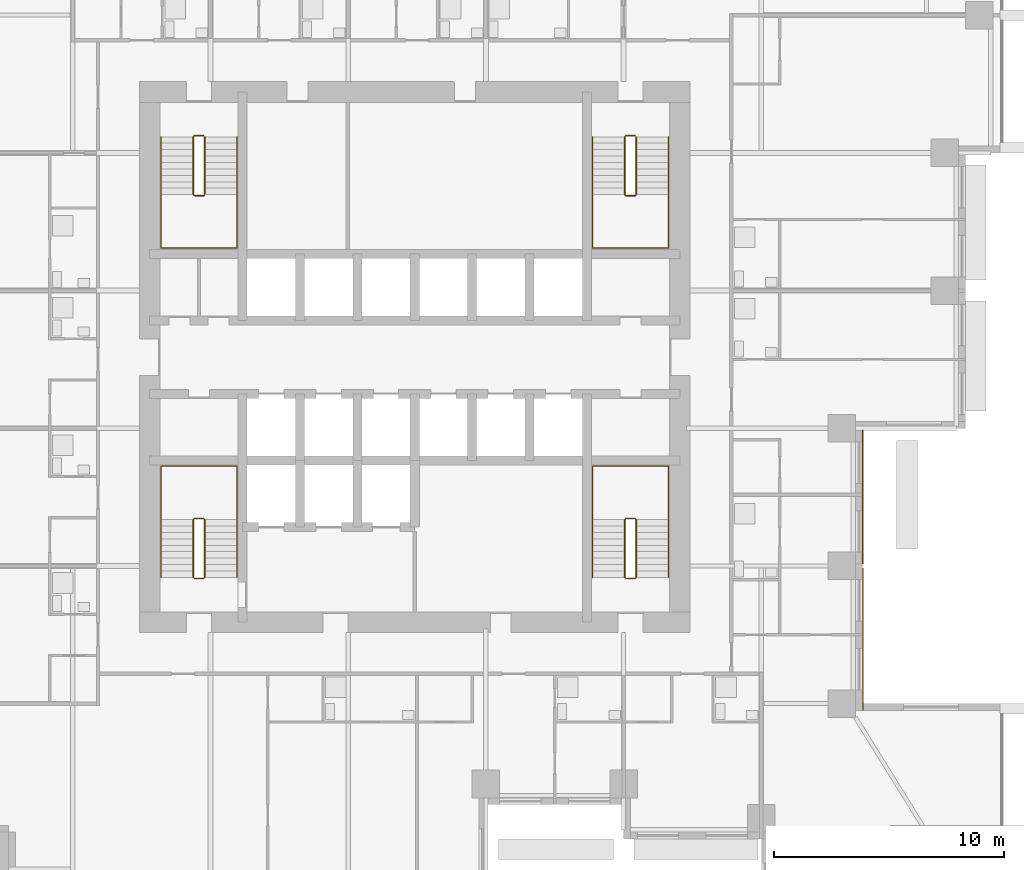
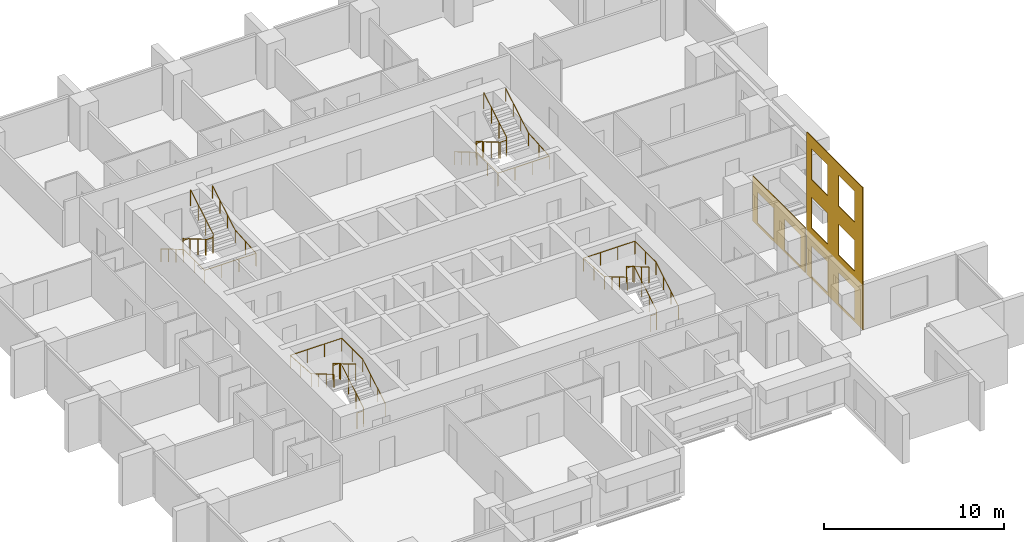
# One storey, part 9 of 10: 8 railings, 2 coverings.
"""IFC4 building model written with IfcOpenShell, lengths in metres."""

from ifc_helpers import new_model, si_unit, direction, frame, origin, origin_2d, place, context, subcontext, project, spatial, polyline, circle, outline, extrude, material, layer, layer_set, type_object, element, save


model = new_model("IFC4")

# Units and contexts
model_context = context("Model", 3, precision=1e-05, world=origin(), true_north=direction((0.0, 1.0)))
body_context = subcontext(model_context, "Body", "Model", "MODEL_VIEW")
ifc_project = project(units=[si_unit("LENGTHUNIT", "METRE"), si_unit("AREAUNIT", "SQUARE_METRE"), si_unit("VOLUMEUNIT", "CUBIC_METRE"), si_unit("PLANEANGLEUNIT", "RADIAN"), si_unit("MASSUNIT", "GRAM", prefix="KILO")], contexts=[model_context])

# Site, building, storey
site_placement = place(None, origin())
site = spatial("IfcSite", under=ifc_project, at=site_placement, CompositionType="ELEMENT")
building_placement = place(site_placement, origin())
building = spatial("IfcBuilding", under=site, at=building_placement, Name="Amberfall Residences", CompositionType="ELEMENT")
storey_placement = place(building_placement, frame((0.0, 0.0, 30.10009765625)))
storey = spatial("IfcBuildingStorey", under=building, at=storey_placement, Name="L07", CompositionType="ELEMENT", Elevation=30.10009765625)

# Coverings
ifc_material_1 = material(Name="Pale limestone cladding", Category="masonry")
ifc_layer = layer(ifc_material_1, 0.050048828125)
ifc_layer_set = layer_set([ifc_layer], Name="Limestone fascia 50")
covering_type = type_object("IfcCoveringType", Name="Limestone fascia 50", PredefinedType="CLADDING", material=ifc_layer_set)
covering_1_placement = place(storey_placement, frame((94.0, 30.10009765625, 9.64990234375), z_axis=(-1.0, 0.0, 0.0), x_axis=(0.0, 1.0, 0.0)))
element("IfcCovering", 1, at=covering_1_placement, inside=storey, type_object=covering_type, Name="Pale limestone cladding L07-L09 E", PredefinedType="CLADDING", context=body_context, shape_type="SweptSolid", body=[
    extrude(outline(polyline([(0.0, 0.0), (6.2099609375, 0.0), (6.2099609375, 9.64990234375), (0.0, 9.64990234375), (0.0, 0.0)]), holes=[polyline([(0.89990234375, 7.39990234375), (2.699951171875, 7.39990234375), (2.699951171875, 9.5), (0.89990234375, 9.5), (0.89990234375, 7.39990234375)]), polyline([(3.89990234375, 7.39990234375), (5.699951171875, 7.39990234375), (5.699951171875, 9.5), (3.89990234375, 9.5), (3.89990234375, 7.39990234375)]), polyline([(0.89990234375, 4.10009765625), (2.699951171875, 4.10009765625), (2.699951171875, 6.199951171875), (0.89990234375, 6.199951171875), (0.89990234375, 4.10009765625)]), polyline([(3.89990234375, 4.10009765625), (5.699951171875, 4.10009765625), (5.699951171875, 6.199951171875), (3.89990234375, 6.199951171875), (3.89990234375, 4.10009765625)]), polyline([(0.89990234375, 0.800048828125), (2.699951171875, 0.800048828125), (2.699951171875, 2.89990234375), (0.89990234375, 2.89990234375), (0.89990234375, 0.800048828125)]), polyline([(3.89990234375, 0.800048828125), (5.699951171875, 0.800048828125), (5.699951171875, 2.89990234375), (3.89990234375, 2.89990234375), (3.89990234375, 0.800048828125)])]), origin(), (0.0, 0.0, -1.0), 0.050048828125),
])
covering_2_placement = place(storey_placement, frame((94.0, 36.489990234375, 3.0498046875), z_axis=(-1.0, 0.0, 0.0), x_axis=(0.0, 1.0, 0.0)))
element("IfcCovering", 2, at=covering_2_placement, inside=storey, type_object=covering_type, Name="Pale limestone cladding L07 E", PredefinedType="CLADDING", context=body_context, shape_type="SweptSolid", body=[
    extrude(outline(polyline([(0.0, 0.0), (5.820068359375, 0.0), (5.820068359375, 3.0498046875), (0.0, 3.0498046875), (0.0, 0.0)]), holes=[polyline([(0.510009765625, 0.7998046875), (2.31005859375, 0.7998046875), (2.31005859375, 2.89990234375), (0.510009765625, 2.89990234375), (0.510009765625, 0.7998046875)]), polyline([(3.510009765625, 0.7998046875), (5.31005859375, 0.7998046875), (5.31005859375, 2.89990234375), (3.510009765625, 2.89990234375), (3.510009765625, 0.7998046875)])]), origin(), (0.0, 0.0, -1.0), 0.050048828125),
])

# Railings
ifc_material_2 = material(Name="Stainless steel 316", Category="steel")
railing_type_1 = type_object("IfcRailingType", Name="Stair guard 1100", PredefinedType="GUARDRAIL", material=ifc_material_2)
railing_1_placement = place(storey_placement, frame((64.89990234375, 35.85009765625, 0.0)))
element("IfcRailing", 3, at=railing_1_placement, inside=storey, type_object=railing_type_1, Name="L07 stair 1 guard", PredefinedType="GUARDRAIL", context=body_context, shape_type="SweptSolid", body=[
    extrude(circle(Radius=0.02392578125, at=origin_2d()), frame((0.0, 0.0, 1.076171875), z_axis=(1.0, 0.0, 0.0), x_axis=(0.0, 1.0, 0.0)), (0.0, 0.0, 1.0), 0.400146484375),
    extrude(circle(Radius=0.02392578125, at=origin_2d()), frame((0.400146484375, 0.0, 1.076171875), z_axis=(0.279159454702, 0.277797701265, 0.919183570361), x_axis=(-0.705375805398, 0.708833529934, 0.0)), (0.0, 0.0, 1.0), 0.17919921875),
    extrude(circle(Radius=0.02392578125, at=origin_2d()), frame((0.4501953125, 0.0498046875, 1.24072265625), z_axis=(0.0, 0.86152411907, 0.507716645641), x_axis=(-1.0, 0.0, 0.0)), (0.0, 0.0, 1.0), 2.925048828125),
    extrude(circle(Radius=0.02392578125, at=origin_2d()), frame((0.4501953125, 2.56982421875, 2.72607421875), z_axis=(-0.707106781187, 0.707106781187, 0.0), x_axis=(-0.707106781187, -0.707106781187, 0.0)), (0.0, 0.0, 1.0), 0.07080078125),
    extrude(circle(Radius=0.02392578125, at=origin_2d()), frame((0.400146484375, 2.619873046875, 2.72607421875), z_axis=(-1.0, 0.0, 0.0), x_axis=(0.0, -1.0, 0.0)), (0.0, 0.0, 1.0), 0.400146484375),
    extrude(circle(Radius=0.02392578125, at=origin_2d()), frame((0.0, 2.619873046875, 2.72607421875), z_axis=(-0.277450376394, -0.278810427259, 0.919394384522), x_axis=(0.708833529934, -0.705375805398, 0.0)), (0.0, 0.0, 1.0), 0.179443359375),
    extrude(circle(Radius=0.02392578125, at=origin_2d()), frame((-0.0498046875, 2.56982421875, 2.89111328125), z_axis=(0.0, -0.861560626758, 0.507654692109), x_axis=(1.0, 0.0, 0.0)), (0.0, 0.0, 1.0), 2.925048828125),
    extrude(circle(Radius=0.02099609375, at=origin_2d()), origin(), (0.0, 0.0, 1.0), 1.052001953125),
    extrude(circle(Radius=0.02099609375, at=origin_2d()), frame((0.400146484375, 0.0, 0.0)), (0.0, 0.0, 1.0), 1.052001953125),
    extrude(circle(Radius=0.02099609375, at=origin_2d()), frame((0.4501953125, 0.0498046875, 0.164794921875)), (0.0, 0.0, 1.0), 1.052001953125),
    extrude(circle(Radius=0.02099609375, at=origin_2d()), frame((0.4501953125, 0.889892578125, 0.659912109375)), (0.0, 0.0, 1.0), 1.052001953125),
    extrude(circle(Radius=0.02099609375, at=origin_2d()), frame((0.4501953125, 1.729736328125, 1.15478515625)), (0.0, 0.0, 1.0), 1.052001953125),
    extrude(circle(Radius=0.02099609375, at=origin_2d()), frame((0.4501953125, 2.56982421875, 1.64990234375)), (0.0, 0.0, 1.0), 1.052001953125),
    extrude(circle(Radius=0.02099609375, at=origin_2d()), frame((0.400146484375, 2.619873046875, 1.64990234375)), (0.0, 0.0, 1.0), 1.052001953125),
    extrude(circle(Radius=0.02099609375, at=origin_2d()), frame((0.0, 2.619873046875, 1.64990234375)), (0.0, 0.0, 1.0), 1.052001953125),
    extrude(circle(Radius=0.02099609375, at=origin_2d()), frame((-0.0498046875, 2.56982421875, 1.81494140625)), (0.0, 0.0, 1.0), 1.052001953125),
    extrude(circle(Radius=0.02099609375, at=origin_2d()), frame((-0.0498046875, 1.729736328125, 2.309814453125)), (0.0, 0.0, 1.0), 1.052001953125),
    extrude(circle(Radius=0.02099609375, at=origin_2d()), frame((-0.0498046875, 0.889892578125, 2.804931640625)), (0.0, 0.0, 1.0), 1.052001953125),
    extrude(circle(Radius=0.02099609375, at=origin_2d()), frame((-0.0498046875, 0.0498046875, 3.2998046875)), (0.0, 0.0, 1.0), 1.052001953125),
])
railing_2_placement = place(storey_placement, frame((83.699951171875, 35.85009765625, 0.0)))
element("IfcRailing", 4, at=railing_2_placement, inside=storey, type_object=railing_type_1, Name="L07 stair 2 guard", PredefinedType="GUARDRAIL", context=body_context, shape_type="SweptSolid", body=[
    extrude(circle(Radius=0.02392578125, at=origin_2d()), frame((0.0, 0.0, 1.076171875), z_axis=(1.0, 0.0, 0.0), x_axis=(0.0, 1.0, 0.0)), (0.0, 0.0, 1.0), 0.400146484375),
    extrude(circle(Radius=0.02392578125, at=origin_2d()), frame((0.400146484375, 0.0, 1.076171875), z_axis=(0.277903107438, 0.277903107438, 0.919532340787), x_axis=(-0.707106781187, 0.707106781187, 0.0)), (0.0, 0.0, 1.0), 0.17919921875),
    extrude(circle(Radius=0.02392578125, at=origin_2d()), frame((0.449951171875, 0.0498046875, 1.24072265625), z_axis=(0.0, 0.86152411907, 0.507716645641), x_axis=(-1.0, 0.0, 0.0)), (0.0, 0.0, 1.0), 2.925048828125),
    extrude(circle(Radius=0.02392578125, at=origin_2d()), frame((0.449951171875, 2.56982421875, 2.72607421875), z_axis=(-0.705375805398, 0.708833529934, 0.0), x_axis=(-0.708833529934, -0.705375805398, 0.0)), (0.0, 0.0, 1.0), 0.070556640625),
    extrude(circle(Radius=0.02392578125, at=origin_2d()), frame((0.400146484375, 2.619873046875, 2.72607421875), z_axis=(-1.0, 0.0, 0.0), x_axis=(0.0, -1.0, 0.0)), (0.0, 0.0, 1.0), 0.400146484375),
    extrude(circle(Radius=0.02392578125, at=origin_2d()), frame((0.0, 2.619873046875, 2.72607421875), z_axis=(-0.278705021027, -0.278705021027, 0.919046801044), x_axis=(0.707106781187, -0.707106781187, 0.0)), (0.0, 0.0, 1.0), 0.1796875),
    extrude(circle(Radius=0.02392578125, at=origin_2d()), frame((-0.050048828125, 2.56982421875, 2.89111328125), z_axis=(0.0, -0.861560626758, 0.507654692109), x_axis=(1.0, 0.0, 0.0)), (0.0, 0.0, 1.0), 2.925048828125),
    extrude(circle(Radius=0.02099609375, at=origin_2d()), origin(), (0.0, 0.0, 1.0), 1.052001953125),
    extrude(circle(Radius=0.02099609375, at=origin_2d()), frame((0.400146484375, 0.0, 0.0)), (0.0, 0.0, 1.0), 1.052001953125),
    extrude(circle(Radius=0.02099609375, at=origin_2d()), frame((0.449951171875, 0.0498046875, 0.164794921875)), (0.0, 0.0, 1.0), 1.052001953125),
    extrude(circle(Radius=0.02099609375, at=origin_2d()), frame((0.449951171875, 0.889892578125, 0.659912109375)), (0.0, 0.0, 1.0), 1.052001953125),
    extrude(circle(Radius=0.02099609375, at=origin_2d()), frame((0.449951171875, 1.729736328125, 1.15478515625)), (0.0, 0.0, 1.0), 1.052001953125),
    extrude(circle(Radius=0.02099609375, at=origin_2d()), frame((0.449951171875, 2.56982421875, 1.64990234375)), (0.0, 0.0, 1.0), 1.052001953125),
    extrude(circle(Radius=0.02099609375, at=origin_2d()), frame((0.400146484375, 2.619873046875, 1.64990234375)), (0.0, 0.0, 1.0), 1.052001953125),
    extrude(circle(Radius=0.02099609375, at=origin_2d()), frame((0.0, 2.619873046875, 1.64990234375)), (0.0, 0.0, 1.0), 1.052001953125),
    extrude(circle(Radius=0.02099609375, at=origin_2d()), frame((-0.050048828125, 2.56982421875, 1.81494140625)), (0.0, 0.0, 1.0), 1.052001953125),
    extrude(circle(Radius=0.02099609375, at=origin_2d()), frame((-0.050048828125, 1.729736328125, 2.309814453125)), (0.0, 0.0, 1.0), 1.052001953125),
    extrude(circle(Radius=0.02099609375, at=origin_2d()), frame((-0.050048828125, 0.889892578125, 2.804931640625)), (0.0, 0.0, 1.0), 1.052001953125),
    extrude(circle(Radius=0.02099609375, at=origin_2d()), frame((-0.050048828125, 0.0498046875, 3.2998046875)), (0.0, 0.0, 1.0), 1.052001953125),
])
railing_3_placement = place(storey_placement, frame((84.10009765625, 55.14990234375, 0.0)))
element("IfcRailing", 5, at=railing_3_placement, inside=storey, type_object=railing_type_1, Name="L07 stair 3 guard", PredefinedType="GUARDRAIL", context=body_context, shape_type="SweptSolid", body=[
    extrude(circle(Radius=0.02392578125, at=origin_2d()), frame((0.0, 0.0, 1.076171875), z_axis=(-1.0, 0.0, 0.0), x_axis=(0.0, -1.0, 0.0)), (0.0, 0.0, 1.0), 0.400146484375),
    extrude(circle(Radius=0.02392578125, at=origin_2d()), frame((-0.400146484375, 0.0, 1.076171875), z_axis=(-0.279159454702, -0.277797701265, 0.919183570361), x_axis=(0.705375805398, -0.708833529934, 0.0)), (0.0, 0.0, 1.0), 0.17919921875),
    extrude(circle(Radius=0.02392578125, at=origin_2d()), frame((-0.4501953125, -0.0498046875, 1.24072265625), z_axis=(0.0, -0.86152411907, 0.507716645641), x_axis=(1.0, 0.0, 0.0)), (0.0, 0.0, 1.0), 2.925048828125),
    extrude(circle(Radius=0.02392578125, at=origin_2d()), frame((-0.4501953125, -2.56982421875, 2.72607421875), z_axis=(0.707106781187, -0.707106781187, 0.0), x_axis=(0.707106781187, 0.707106781187, 0.0)), (0.0, 0.0, 1.0), 0.07080078125),
    extrude(circle(Radius=0.02392578125, at=origin_2d()), frame((-0.400146484375, -2.619873046875, 2.72607421875), z_axis=(1.0, 0.0, 0.0), x_axis=(0.0, 1.0, 0.0)), (0.0, 0.0, 1.0), 0.400146484375),
    extrude(circle(Radius=0.02392578125, at=origin_2d()), frame((0.0, -2.619873046875, 2.72607421875), z_axis=(0.277450376394, 0.278810427259, 0.919394384522), x_axis=(-0.708833529934, 0.705375805398, 0.0)), (0.0, 0.0, 1.0), 0.179443359375),
    extrude(circle(Radius=0.02392578125, at=origin_2d()), frame((0.0498046875, -2.56982421875, 2.89111328125), z_axis=(0.0, 0.861560626758, 0.507654692109), x_axis=(-1.0, 0.0, 0.0)), (0.0, 0.0, 1.0), 2.925048828125),
    extrude(circle(Radius=0.02099609375, at=origin_2d()), origin(), (0.0, 0.0, 1.0), 1.052001953125),
    extrude(circle(Radius=0.02099609375, at=origin_2d()), frame((-0.400146484375, 0.0, 0.0)), (0.0, 0.0, 1.0), 1.052001953125),
    extrude(circle(Radius=0.02099609375, at=origin_2d()), frame((-0.4501953125, -0.0498046875, 0.164794921875)), (0.0, 0.0, 1.0), 1.052001953125),
    extrude(circle(Radius=0.02099609375, at=origin_2d()), frame((-0.4501953125, -0.889892578125, 0.659912109375)), (0.0, 0.0, 1.0), 1.052001953125),
    extrude(circle(Radius=0.02099609375, at=origin_2d()), frame((-0.4501953125, -1.729736328125, 1.15478515625)), (0.0, 0.0, 1.0), 1.052001953125),
    extrude(circle(Radius=0.02099609375, at=origin_2d()), frame((-0.4501953125, -2.56982421875, 1.64990234375)), (0.0, 0.0, 1.0), 1.052001953125),
    extrude(circle(Radius=0.02099609375, at=origin_2d()), frame((-0.400146484375, -2.619873046875, 1.64990234375)), (0.0, 0.0, 1.0), 1.052001953125),
    extrude(circle(Radius=0.02099609375, at=origin_2d()), frame((0.0, -2.619873046875, 1.64990234375)), (0.0, 0.0, 1.0), 1.052001953125),
    extrude(circle(Radius=0.02099609375, at=origin_2d()), frame((0.0498046875, -2.56982421875, 1.81494140625)), (0.0, 0.0, 1.0), 1.052001953125),
    extrude(circle(Radius=0.02099609375, at=origin_2d()), frame((0.0498046875, -1.729736328125, 2.309814453125)), (0.0, 0.0, 1.0), 1.052001953125),
    extrude(circle(Radius=0.02099609375, at=origin_2d()), frame((0.0498046875, -0.889892578125, 2.804931640625)), (0.0, 0.0, 1.0), 1.052001953125),
    extrude(circle(Radius=0.02099609375, at=origin_2d()), frame((0.0498046875, -0.0498046875, 3.2998046875)), (0.0, 0.0, 1.0), 1.052001953125),
])
railing_4_placement = place(storey_placement, frame((65.300048828125, 55.14990234375, 0.0)))
element("IfcRailing", 6, at=railing_4_placement, inside=storey, type_object=railing_type_1, Name="L07 stair 4 guard", PredefinedType="GUARDRAIL", context=body_context, shape_type="SweptSolid", body=[
    extrude(circle(Radius=0.02392578125, at=origin_2d()), frame((0.0, 0.0, 1.076171875), z_axis=(-1.0, 0.0, 0.0), x_axis=(0.0, -1.0, 0.0)), (0.0, 0.0, 1.0), 0.400146484375),
    extrude(circle(Radius=0.02392578125, at=origin_2d()), frame((-0.400146484375, 0.0, 1.076171875), z_axis=(-0.277903107438, -0.277903107438, 0.919532340787), x_axis=(0.707106781187, -0.707106781187, 0.0)), (0.0, 0.0, 1.0), 0.17919921875),
    extrude(circle(Radius=0.02392578125, at=origin_2d()), frame((-0.449951171875, -0.0498046875, 1.24072265625), z_axis=(0.0, -0.86152411907, 0.507716645641), x_axis=(1.0, 0.0, 0.0)), (0.0, 0.0, 1.0), 2.925048828125),
    extrude(circle(Radius=0.02392578125, at=origin_2d()), frame((-0.449951171875, -2.56982421875, 2.72607421875), z_axis=(0.705375805398, -0.708833529934, 0.0), x_axis=(0.708833529934, 0.705375805398, 0.0)), (0.0, 0.0, 1.0), 0.070556640625),
    extrude(circle(Radius=0.02392578125, at=origin_2d()), frame((-0.400146484375, -2.619873046875, 2.72607421875), z_axis=(1.0, 0.0, 0.0), x_axis=(0.0, 1.0, 0.0)), (0.0, 0.0, 1.0), 0.400146484375),
    extrude(circle(Radius=0.02392578125, at=origin_2d()), frame((0.0, -2.619873046875, 2.72607421875), z_axis=(0.278705021027, 0.278705021027, 0.919046801044), x_axis=(-0.707106781187, 0.707106781187, 0.0)), (0.0, 0.0, 1.0), 0.1796875),
    extrude(circle(Radius=0.02392578125, at=origin_2d()), frame((0.050048828125, -2.56982421875, 2.89111328125), z_axis=(0.0, 0.861560626758, 0.507654692109), x_axis=(-1.0, 0.0, 0.0)), (0.0, 0.0, 1.0), 2.925048828125),
    extrude(circle(Radius=0.02099609375, at=origin_2d()), origin(), (0.0, 0.0, 1.0), 1.052001953125),
    extrude(circle(Radius=0.02099609375, at=origin_2d()), frame((-0.400146484375, 0.0, 0.0)), (0.0, 0.0, 1.0), 1.052001953125),
    extrude(circle(Radius=0.02099609375, at=origin_2d()), frame((-0.449951171875, -0.0498046875, 0.164794921875)), (0.0, 0.0, 1.0), 1.052001953125),
    extrude(circle(Radius=0.02099609375, at=origin_2d()), frame((-0.449951171875, -0.889892578125, 0.659912109375)), (0.0, 0.0, 1.0), 1.052001953125),
    extrude(circle(Radius=0.02099609375, at=origin_2d()), frame((-0.449951171875, -1.729736328125, 1.15478515625)), (0.0, 0.0, 1.0), 1.052001953125),
    extrude(circle(Radius=0.02099609375, at=origin_2d()), frame((-0.449951171875, -2.56982421875, 1.64990234375)), (0.0, 0.0, 1.0), 1.052001953125),
    extrude(circle(Radius=0.02099609375, at=origin_2d()), frame((-0.400146484375, -2.619873046875, 1.64990234375)), (0.0, 0.0, 1.0), 1.052001953125),
    extrude(circle(Radius=0.02099609375, at=origin_2d()), frame((0.0, -2.619873046875, 1.64990234375)), (0.0, 0.0, 1.0), 1.052001953125),
    extrude(circle(Radius=0.02099609375, at=origin_2d()), frame((0.050048828125, -2.56982421875, 1.81494140625)), (0.0, 0.0, 1.0), 1.052001953125),
    extrude(circle(Radius=0.02099609375, at=origin_2d()), frame((0.050048828125, -1.729736328125, 2.309814453125)), (0.0, 0.0, 1.0), 1.052001953125),
    extrude(circle(Radius=0.02099609375, at=origin_2d()), frame((0.050048828125, -0.889892578125, 2.804931640625)), (0.0, 0.0, 1.0), 1.052001953125),
    extrude(circle(Radius=0.02099609375, at=origin_2d()), frame((0.050048828125, -0.0498046875, 3.2998046875)), (0.0, 0.0, 1.0), 1.052001953125),
])
railing_type_2 = type_object("IfcRailingType", Name="Stair handrail 900", PredefinedType="HANDRAIL", material=ifc_material_2)
railing_5_placement = place(storey_placement, frame((66.75, 35.89990234375, 0.164794921875)))
element("IfcRailing", 7, at=railing_5_placement, inside=storey, type_object=railing_type_2, Name="L07 stair 1 handrail", PredefinedType="HANDRAIL", context=body_context, shape_type="SweptSolid", body=[
    extrude(circle(Radius=0.02392578125, at=origin_2d()), frame((0.0, 0.0, 0.8759765625), z_axis=(0.0, 0.86152411907, 0.507716645641), x_axis=(-1.0, 0.0, 0.0)), (0.0, 0.0, 1.0), 2.925048828125),
    extrude(circle(Radius=0.02392578125, at=origin_2d()), frame((0.0, 2.52001953125, 2.36083984375), z_axis=(0.0, 1.0, 0.0), x_axis=(-1.0, 0.0, 0.0)), (0.0, 0.0, 1.0), 2.330078125),
    extrude(circle(Radius=0.02392578125, at=origin_2d()), frame((0.0, 4.85009765625, 2.36083984375), z_axis=(-1.0, 0.0, 0.0), x_axis=(0.0, -1.0, 0.0)), (0.0, 0.0, 1.0), 3.300048828125),
    extrude(circle(Radius=0.02392578125, at=origin_2d()), frame((-3.300048828125, 4.85009765625, 2.36083984375), z_axis=(0.0, -0.997500965899, 0.07065283455), x_axis=(1.0, 0.0, 0.0)), (0.0, 0.0, 1.0), 2.3359375),
    extrude(circle(Radius=0.02392578125, at=origin_2d()), frame((-3.300048828125, 2.52001953125, 2.52587890625), z_axis=(0.0, -0.861560626758, 0.507654692109), x_axis=(1.0, 0.0, 0.0)), (0.0, 0.0, 1.0), 2.925048828125),
    extrude(circle(Radius=0.02099609375, at=origin_2d()), origin(), (0.0, 0.0, 1.0), 0.851806640625),
    extrude(circle(Radius=0.02099609375, at=origin_2d()), frame((0.0, 0.840087890625, 0.4951171875)), (0.0, 0.0, 1.0), 0.851806640625),
    extrude(circle(Radius=0.02099609375, at=origin_2d()), frame((0.0, 1.679931640625, 0.989990234375)), (0.0, 0.0, 1.0), 0.851806640625),
    extrude(circle(Radius=0.02099609375, at=origin_2d()), frame((0.0, 2.52001953125, 1.485107421875)), (0.0, 0.0, 1.0), 0.851806640625),
    extrude(circle(Radius=0.02099609375, at=origin_2d()), frame((0.0, 3.68505859375, 1.485107421875)), (0.0, 0.0, 1.0), 0.851806640625),
    extrude(circle(Radius=0.02099609375, at=origin_2d()), frame((0.0, 4.85009765625, 1.485107421875)), (0.0, 0.0, 1.0), 0.851806640625),
    extrude(circle(Radius=0.02099609375, at=origin_2d()), frame((-1.10009765625, 4.85009765625, 1.485107421875)), (0.0, 0.0, 1.0), 0.851806640625),
    extrude(circle(Radius=0.02099609375, at=origin_2d()), frame((-2.199951171875, 4.85009765625, 1.485107421875)), (0.0, 0.0, 1.0), 0.851806640625),
    extrude(circle(Radius=0.02099609375, at=origin_2d()), frame((-3.300048828125, 4.85009765625, 1.485107421875)), (0.0, 0.0, 1.0), 0.851806640625),
    extrude(circle(Radius=0.02099609375, at=origin_2d()), frame((-3.300048828125, 3.68505859375, 1.567626953125)), (0.0, 0.0, 1.0), 0.851806640625),
    extrude(circle(Radius=0.02099609375, at=origin_2d()), frame((-3.300048828125, 2.52001953125, 1.650146484375)), (0.0, 0.0, 1.0), 0.851806640625),
    extrude(circle(Radius=0.02099609375, at=origin_2d()), frame((-3.300048828125, 1.679931640625, 2.14501953125)), (0.0, 0.0, 1.0), 0.851806640625),
    extrude(circle(Radius=0.02099609375, at=origin_2d()), frame((-3.300048828125, 0.840087890625, 2.64013671875)), (0.0, 0.0, 1.0), 0.851806640625),
    extrude(circle(Radius=0.02099609375, at=origin_2d()), frame((-3.300048828125, 0.0, 3.135009765625)), (0.0, 0.0, 1.0), 0.851806640625),
])
railing_6_placement = place(storey_placement, frame((85.550048828125, 35.89990234375, 0.164794921875)))
element("IfcRailing", 8, at=railing_6_placement, inside=storey, type_object=railing_type_2, Name="L07 stair 2 handrail", PredefinedType="HANDRAIL", context=body_context, shape_type="SweptSolid", body=[
    extrude(circle(Radius=0.02392578125, at=origin_2d()), frame((0.0, 0.0, 0.8759765625), z_axis=(0.0, 0.86152411907, 0.507716645641), x_axis=(-1.0, 0.0, 0.0)), (0.0, 0.0, 1.0), 2.925048828125),
    extrude(circle(Radius=0.02392578125, at=origin_2d()), frame((0.0, 2.52001953125, 2.36083984375), z_axis=(0.0, 1.0, 0.0), x_axis=(-1.0, 0.0, 0.0)), (0.0, 0.0, 1.0), 2.330078125),
    extrude(circle(Radius=0.02392578125, at=origin_2d()), frame((0.0, 4.85009765625, 2.36083984375), z_axis=(-1.0, 0.0, 0.0), x_axis=(0.0, -1.0, 0.0)), (0.0, 0.0, 1.0), 3.300048828125),
    extrude(circle(Radius=0.02392578125, at=origin_2d()), frame((-3.300048828125, 4.85009765625, 2.36083984375), z_axis=(0.0, -0.997500965899, 0.07065283455), x_axis=(1.0, 0.0, 0.0)), (0.0, 0.0, 1.0), 2.3359375),
    extrude(circle(Radius=0.02392578125, at=origin_2d()), frame((-3.300048828125, 2.52001953125, 2.52587890625), z_axis=(0.0, -0.861560626758, 0.507654692109), x_axis=(1.0, 0.0, 0.0)), (0.0, 0.0, 1.0), 2.925048828125),
    extrude(circle(Radius=0.02099609375, at=origin_2d()), origin(), (0.0, 0.0, 1.0), 0.851806640625),
    extrude(circle(Radius=0.02099609375, at=origin_2d()), frame((0.0, 0.840087890625, 0.4951171875)), (0.0, 0.0, 1.0), 0.851806640625),
    extrude(circle(Radius=0.02099609375, at=origin_2d()), frame((0.0, 1.679931640625, 0.989990234375)), (0.0, 0.0, 1.0), 0.851806640625),
    extrude(circle(Radius=0.02099609375, at=origin_2d()), frame((0.0, 2.52001953125, 1.485107421875)), (0.0, 0.0, 1.0), 0.851806640625),
    extrude(circle(Radius=0.02099609375, at=origin_2d()), frame((0.0, 3.68505859375, 1.485107421875)), (0.0, 0.0, 1.0), 0.851806640625),
    extrude(circle(Radius=0.02099609375, at=origin_2d()), frame((0.0, 4.85009765625, 1.485107421875)), (0.0, 0.0, 1.0), 0.851806640625),
    extrude(circle(Radius=0.02099609375, at=origin_2d()), frame((-1.10009765625, 4.85009765625, 1.485107421875)), (0.0, 0.0, 1.0), 0.851806640625),
    extrude(circle(Radius=0.02099609375, at=origin_2d()), frame((-2.199951171875, 4.85009765625, 1.485107421875)), (0.0, 0.0, 1.0), 0.851806640625),
    extrude(circle(Radius=0.02099609375, at=origin_2d()), frame((-3.300048828125, 4.85009765625, 1.485107421875)), (0.0, 0.0, 1.0), 0.851806640625),
    extrude(circle(Radius=0.02099609375, at=origin_2d()), frame((-3.300048828125, 3.68505859375, 1.567626953125)), (0.0, 0.0, 1.0), 0.851806640625),
    extrude(circle(Radius=0.02099609375, at=origin_2d()), frame((-3.300048828125, 2.52001953125, 1.650146484375)), (0.0, 0.0, 1.0), 0.851806640625),
    extrude(circle(Radius=0.02099609375, at=origin_2d()), frame((-3.300048828125, 1.679931640625, 2.14501953125)), (0.0, 0.0, 1.0), 0.851806640625),
    extrude(circle(Radius=0.02099609375, at=origin_2d()), frame((-3.300048828125, 0.840087890625, 2.64013671875)), (0.0, 0.0, 1.0), 0.851806640625),
    extrude(circle(Radius=0.02099609375, at=origin_2d()), frame((-3.300048828125, 0.0, 3.135009765625)), (0.0, 0.0, 1.0), 0.851806640625),
])
railing_7_placement = place(storey_placement, frame((82.25, 55.10009765625, 0.164794921875)))
element("IfcRailing", 9, at=railing_7_placement, inside=storey, type_object=railing_type_2, Name="L07 stair 3 handrail", PredefinedType="HANDRAIL", context=body_context, shape_type="SweptSolid", body=[
    extrude(circle(Radius=0.02392578125, at=origin_2d()), frame((0.0, 0.0, 0.8759765625), z_axis=(0.0, -0.86152411907, 0.507716645641), x_axis=(1.0, 0.0, 0.0)), (0.0, 0.0, 1.0), 2.925048828125),
    extrude(circle(Radius=0.02392578125, at=origin_2d()), frame((0.0, -2.52001953125, 2.36083984375), z_axis=(0.0, -1.0, 0.0), x_axis=(1.0, 0.0, 0.0)), (0.0, 0.0, 1.0), 2.330078125),
    extrude(circle(Radius=0.02392578125, at=origin_2d()), frame((0.0, -4.85009765625, 2.36083984375), z_axis=(1.0, 0.0, 0.0), x_axis=(0.0, 1.0, 0.0)), (0.0, 0.0, 1.0), 3.300048828125),
    extrude(circle(Radius=0.02392578125, at=origin_2d()), frame((3.300048828125, -4.85009765625, 2.36083984375), z_axis=(0.0, 0.997500965899, 0.07065283455), x_axis=(-1.0, 0.0, 0.0)), (0.0, 0.0, 1.0), 2.3359375),
    extrude(circle(Radius=0.02392578125, at=origin_2d()), frame((3.300048828125, -2.52001953125, 2.52587890625), z_axis=(0.0, 0.861560626758, 0.507654692109), x_axis=(-1.0, 0.0, 0.0)), (0.0, 0.0, 1.0), 2.925048828125),
    extrude(circle(Radius=0.02099609375, at=origin_2d()), origin(), (0.0, 0.0, 1.0), 0.851806640625),
    extrude(circle(Radius=0.02099609375, at=origin_2d()), frame((0.0, -0.840087890625, 0.4951171875)), (0.0, 0.0, 1.0), 0.851806640625),
    extrude(circle(Radius=0.02099609375, at=origin_2d()), frame((0.0, -1.679931640625, 0.989990234375)), (0.0, 0.0, 1.0), 0.851806640625),
    extrude(circle(Radius=0.02099609375, at=origin_2d()), frame((0.0, -2.52001953125, 1.485107421875)), (0.0, 0.0, 1.0), 0.851806640625),
    extrude(circle(Radius=0.02099609375, at=origin_2d()), frame((0.0, -3.68505859375, 1.485107421875)), (0.0, 0.0, 1.0), 0.851806640625),
    extrude(circle(Radius=0.02099609375, at=origin_2d()), frame((0.0, -4.85009765625, 1.485107421875)), (0.0, 0.0, 1.0), 0.851806640625),
    extrude(circle(Radius=0.02099609375, at=origin_2d()), frame((1.10009765625, -4.85009765625, 1.485107421875)), (0.0, 0.0, 1.0), 0.851806640625),
    extrude(circle(Radius=0.02099609375, at=origin_2d()), frame((2.199951171875, -4.85009765625, 1.485107421875)), (0.0, 0.0, 1.0), 0.851806640625),
    extrude(circle(Radius=0.02099609375, at=origin_2d()), frame((3.300048828125, -4.85009765625, 1.485107421875)), (0.0, 0.0, 1.0), 0.851806640625),
    extrude(circle(Radius=0.02099609375, at=origin_2d()), frame((3.300048828125, -3.68505859375, 1.567626953125)), (0.0, 0.0, 1.0), 0.851806640625),
    extrude(circle(Radius=0.02099609375, at=origin_2d()), frame((3.300048828125, -2.52001953125, 1.650146484375)), (0.0, 0.0, 1.0), 0.851806640625),
    extrude(circle(Radius=0.02099609375, at=origin_2d()), frame((3.300048828125, -1.679931640625, 2.14501953125)), (0.0, 0.0, 1.0), 0.851806640625),
    extrude(circle(Radius=0.02099609375, at=origin_2d()), frame((3.300048828125, -0.840087890625, 2.64013671875)), (0.0, 0.0, 1.0), 0.851806640625),
    extrude(circle(Radius=0.02099609375, at=origin_2d()), frame((3.300048828125, 0.0, 3.135009765625)), (0.0, 0.0, 1.0), 0.851806640625),
])
railing_8_placement = place(storey_placement, frame((63.449951171875, 55.10009765625, 0.164794921875)))
element("IfcRailing", 10, at=railing_8_placement, inside=storey, type_object=railing_type_2, Name="L07 stair 4 handrail", PredefinedType="HANDRAIL", context=body_context, shape_type="SweptSolid", body=[
    extrude(circle(Radius=0.02392578125, at=origin_2d()), frame((0.0, 0.0, 0.8759765625), z_axis=(0.0, -0.86152411907, 0.507716645641), x_axis=(1.0, 0.0, 0.0)), (0.0, 0.0, 1.0), 2.925048828125),
    extrude(circle(Radius=0.02392578125, at=origin_2d()), frame((0.0, -2.52001953125, 2.36083984375), z_axis=(0.0, -1.0, 0.0), x_axis=(1.0, 0.0, 0.0)), (0.0, 0.0, 1.0), 2.330078125),
    extrude(circle(Radius=0.02392578125, at=origin_2d()), frame((0.0, -4.85009765625, 2.36083984375), z_axis=(1.0, 0.0, 0.0), x_axis=(0.0, 1.0, 0.0)), (0.0, 0.0, 1.0), 3.300048828125),
    extrude(circle(Radius=0.02392578125, at=origin_2d()), frame((3.300048828125, -4.85009765625, 2.36083984375), z_axis=(0.0, 0.997500965899, 0.07065283455), x_axis=(-1.0, 0.0, 0.0)), (0.0, 0.0, 1.0), 2.3359375),
    extrude(circle(Radius=0.02392578125, at=origin_2d()), frame((3.300048828125, -2.52001953125, 2.52587890625), z_axis=(0.0, 0.861560626758, 0.507654692109), x_axis=(-1.0, 0.0, 0.0)), (0.0, 0.0, 1.0), 2.925048828125),
    extrude(circle(Radius=0.02099609375, at=origin_2d()), origin(), (0.0, 0.0, 1.0), 0.851806640625),
    extrude(circle(Radius=0.02099609375, at=origin_2d()), frame((0.0, -0.840087890625, 0.4951171875)), (0.0, 0.0, 1.0), 0.851806640625),
    extrude(circle(Radius=0.02099609375, at=origin_2d()), frame((0.0, -1.679931640625, 0.989990234375)), (0.0, 0.0, 1.0), 0.851806640625),
    extrude(circle(Radius=0.02099609375, at=origin_2d()), frame((0.0, -2.52001953125, 1.485107421875)), (0.0, 0.0, 1.0), 0.851806640625),
    extrude(circle(Radius=0.02099609375, at=origin_2d()), frame((0.0, -3.68505859375, 1.485107421875)), (0.0, 0.0, 1.0), 0.851806640625),
    extrude(circle(Radius=0.02099609375, at=origin_2d()), frame((0.0, -4.85009765625, 1.485107421875)), (0.0, 0.0, 1.0), 0.851806640625),
    extrude(circle(Radius=0.02099609375, at=origin_2d()), frame((1.10009765625, -4.85009765625, 1.485107421875)), (0.0, 0.0, 1.0), 0.851806640625),
    extrude(circle(Radius=0.02099609375, at=origin_2d()), frame((2.199951171875, -4.85009765625, 1.485107421875)), (0.0, 0.0, 1.0), 0.851806640625),
    extrude(circle(Radius=0.02099609375, at=origin_2d()), frame((3.300048828125, -4.85009765625, 1.485107421875)), (0.0, 0.0, 1.0), 0.851806640625),
    extrude(circle(Radius=0.02099609375, at=origin_2d()), frame((3.300048828125, -3.68505859375, 1.567626953125)), (0.0, 0.0, 1.0), 0.851806640625),
    extrude(circle(Radius=0.02099609375, at=origin_2d()), frame((3.300048828125, -2.52001953125, 1.650146484375)), (0.0, 0.0, 1.0), 0.851806640625),
    extrude(circle(Radius=0.02099609375, at=origin_2d()), frame((3.300048828125, -1.679931640625, 2.14501953125)), (0.0, 0.0, 1.0), 0.851806640625),
    extrude(circle(Radius=0.02099609375, at=origin_2d()), frame((3.300048828125, -0.840087890625, 2.64013671875)), (0.0, 0.0, 1.0), 0.851806640625),
    extrude(circle(Radius=0.02099609375, at=origin_2d()), frame((3.300048828125, 0.0, 3.135009765625)), (0.0, 0.0, 1.0), 0.851806640625),
])

save(model, "model.ifc")
